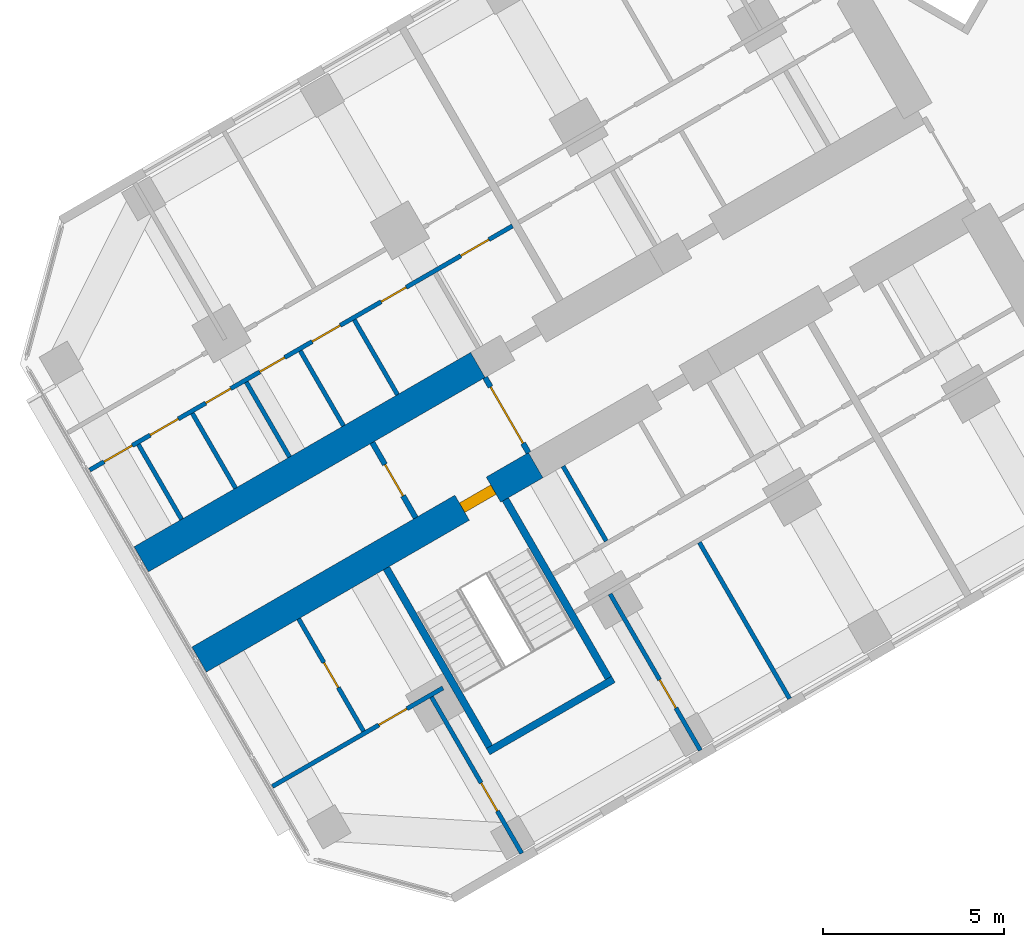
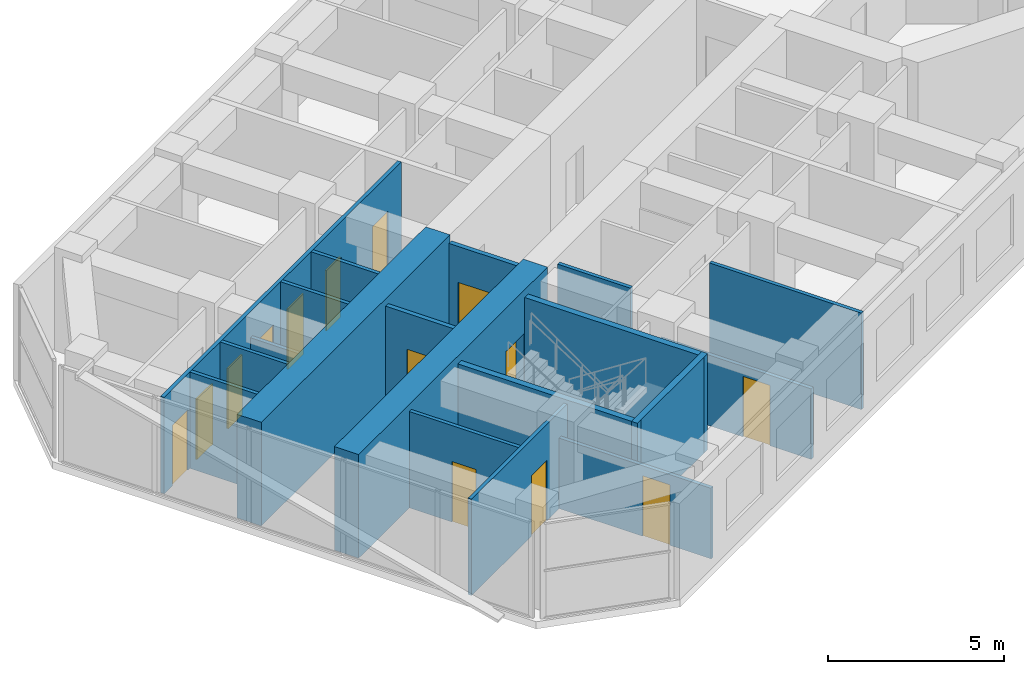
# One storey, part 10 of 20: 19 walls, 14 doors, 14 openings.
"""IFC4 building model written with IfcOpenShell, lengths in metres."""

from ifc_helpers import new_model, si_unit, direction, frame, frame_2d, origin, place, context, subcontext, project, spatial, rectangle, extrude, material, layer, layer_set, type_object, element, fill, save


model = new_model("IFC4")

# Units and contexts
model_context = context("Model", 3, precision=1e-05, world=origin(), true_north=direction((0.0, 1.0)))
body_context = subcontext(model_context, "Body", "Model", "MODEL_VIEW")
ifc_project = project(units=[si_unit("LENGTHUNIT", "METRE"), si_unit("AREAUNIT", "SQUARE_METRE"), si_unit("VOLUMEUNIT", "CUBIC_METRE"), si_unit("PLANEANGLEUNIT", "RADIAN"), si_unit("MASSUNIT", "GRAM", prefix="KILO")], contexts=[model_context])

# Site, building, storey
site_placement = place(None, origin())
site = spatial("IfcSite", under=ifc_project, at=site_placement, CompositionType="ELEMENT")
building_placement = place(site_placement, origin())
building = spatial("IfcBuilding", under=site, at=building_placement, Name="Kosmar Iwan School Tower", CompositionType="ELEMENT")
storey_placement = place(building_placement, frame((0.0, 0.0, 179.60009765625)))
storey = spatial("IfcBuildingStorey", under=building, at=storey_placement, Name="L45", CompositionType="ELEMENT", Elevation=179.60009765625)

# Wall, opening, door
ifc_material_1 = material(Name="Concrete C50/60", Category="concrete")
ifc_layer_1 = layer(ifc_material_1, 0.800048828125)
ifc_layer_set_1 = layer_set([ifc_layer_1], Name="Corridor buttress wall 800")
wall_type_1 = type_object("IfcWallType", Name="Corridor buttress wall 800", PredefinedType="SHEAR", material=ifc_layer_set_1)
wall_1_placement = place(storey_placement, frame((-19.681396484375, -13.210693359375, 0.0), z_axis=(0.0, 0.0, 1.0), x_axis=(-0.866028186671, -0.499995179869, 0.0)))
wall_1 = element("IfcWall", 1, at=wall_1_placement, inside=storey, type_object=wall_type_1, Name="Corridor wall BL bay 3", PredefinedType="SHEAR", context=body_context, shape_type="SweptSolid", body=[
    extrude(rectangle(XDim=10.7451171875, YDim=0.800048828125, at=frame_2d((5.37255859375, 0.0))), origin(), (0.0, 0.0, 1.0), 3.599853515625),
])
opening_1_placement = place(wall_1_placement, frame((1.35009765625, 0.0, 0.0)))
opening_1 = element("IfcOpeningElement", 2, at=opening_1_placement, cuts=wall_1, Name="Opening D6", PredefinedType="OPENING", context=body_context, shape_type="SweptSolid", body=[
    extrude(rectangle(XDim=1.0, YDim=2.10009765625, at=frame_2d((0.5, 1.050048828125))), frame((0.0, 0.412109375, 0.0), z_axis=(0.0, -1.0, 0.0), x_axis=(1.0, 0.0, 0.0)), (0.0, 0.0, 1.0), 0.823974609375),
])
ifc_material_2 = material(Name="Steel fire door", Category="steel")
door_type_1 = type_object("IfcDoorType", Name="Stair door 1000x2100", OperationType="SINGLE_SWING_LEFT", PredefinedType="DOOR", material=ifc_material_2)
door_1_placement = place(opening_1_placement, origin())
door_1 = element("IfcDoor", 3, at=door_1_placement, inside=storey, type_object=door_type_1, Name="Stair WS2 door L45", OperationType="SINGLE_SWING_LEFT", OverallHeight=2.10009765625, OverallWidth=1.0, PredefinedType="DOOR", context=body_context, shape_type="SweptSolid", body=[
    extrude(rectangle(XDim=1.0, YDim=2.10009765625, at=frame_2d((0.5, 1.050048828125))), frame((0.0, 0.14990234375, 0.0), z_axis=(0.0, -1.0, 0.0), x_axis=(1.0, 0.0, 0.0)), (0.0, 0.0, 1.0), 0.300048828125),
])
fill(opening_1, door_1)

# Wall
wall_2_placement = place(storey_placement, frame((-21.281494140625, -10.439453125, 0.0), z_axis=(0.0, 0.0, 1.0), x_axis=(-0.866032345022, -0.499987977232, 0.0)))
element("IfcWall", 4, at=wall_2_placement, inside=storey, type_object=wall_type_1, Name="Corridor wall BR bay 3", PredefinedType="SHEAR", context=body_context, shape_type="SweptSolid", body=[
    extrude(rectangle(XDim=10.744873046875, YDim=0.800048828125, at=frame_2d((5.37255859375, 0.0))), origin(), (0.0, 0.0, 1.0), 3.599853515625),
])

# Wall, opening, door
ifc_material_3 = material(Name="Gypsum board on steel studs, fire-rated", Category="steel")
ifc_layer_2 = layer(ifc_material_3, 0.14990234375)
ifc_layer_set_2 = layer_set([ifc_layer_2], Name="Corridor end wall 150")
wall_type_2 = type_object("IfcWallType", Name="Corridor end wall 150", PredefinedType="PARTITIONING", material=ifc_layer_set_2)
wall_3_placement = place(storey_placement, frame((-24.19921875, -12.585693359375, 0.0), z_axis=(0.0, 0.0, 1.0), x_axis=(0.499957262057, -0.866050077142, 0.0)))
wall_3 = element("IfcWall", 5, at=wall_3_placement, inside=storey, type_object=wall_type_2, Name="Partition L45-B-CE", PredefinedType="PARTITIONING", context=body_context, shape_type="SweptSolid", body=[
    extrude(rectangle(XDim=2.400146484375, YDim=0.14990234375, at=frame_2d((1.2001953125, 0.0))), origin(), (0.0, 0.0, 1.0), 3.349853515625),
])
opening_2_placement = place(wall_3_placement, frame((0.699951171875, 0.0, 0.0)))
opening_2 = element("IfcOpeningElement", 6, at=opening_2_placement, cuts=wall_3, Name="Opening D13", PredefinedType="OPENING", context=body_context, shape_type="SweptSolid", body=[
    extrude(rectangle(XDim=1.0, YDim=2.10009765625, at=frame_2d((0.5, 1.050048828125))), frame((0.0, 0.0869140625, 0.0), z_axis=(0.0, -1.0, 0.0), x_axis=(1.0, 0.0, 0.0)), (0.0, 0.0, 1.0), 0.173828125),
])
ifc_material_4 = material(Name="Timber fire door with vision panel", Category="wood")
door_type_2 = type_object("IfcDoorType", Name="Corridor end door 1000x2100", OperationType="SINGLE_SWING_LEFT", PredefinedType="DOOR", material=ifc_material_4)
door_2_placement = place(opening_2_placement, origin())
door_2 = element("IfcDoor", 7, at=door_2_placement, inside=storey, type_object=door_type_2, Name="Laundry and drying room door L45-B", OperationType="SINGLE_SWING_RIGHT", OverallHeight=2.10009765625, OverallWidth=1.0, PredefinedType="DOOR", context=body_context, shape_type="SweptSolid", body=[
    extrude(rectangle(XDim=1.0, YDim=2.10009765625, at=frame_2d((0.5, 1.050048828125))), frame((0.0, 0.02490234375, 0.0), z_axis=(0.0, -1.0, 0.0), x_axis=(1.0, 0.0, 0.0)), (0.0, 0.0, 1.0), 0.050048828125),
])
fill(opening_2, door_2)

wall_4_placement = place(storey_placement, frame((-21.08154296875, -10.78564453125, 0.0), z_axis=(0.0, 0.0, 1.0), x_axis=(0.499957262057, -0.866050077142, 0.0)))
wall_4 = element("IfcWall", 8, at=wall_4_placement, inside=storey, type_object=wall_type_2, Name="Partition L45-B-HW", PredefinedType="PARTITIONING", context=body_context, shape_type="SweptSolid", body=[
    extrude(rectangle(XDim=2.400146484375, YDim=0.14990234375, at=frame_2d((1.2001953125, 0.0))), origin(), (0.0, 0.0, 1.0), 3.349853515625),
])
opening_3_placement = place(wall_4_placement, frame((0.300048828125, 0.0, 0.0)))
opening_3 = element("IfcOpeningElement", 9, at=opening_3_placement, cuts=wall_4, Name="Opening D9", PredefinedType="OPENING", context=body_context, shape_type="SweptSolid", body=[
    extrude(rectangle(XDim=1.800048828125, YDim=2.10009765625, at=frame_2d((0.89990234375, 1.050048828125))), frame((0.0, 0.0869140625, 0.0), z_axis=(0.0, -1.0, 0.0), x_axis=(1.0, 0.0, 0.0)), (0.0, 0.0, 1.0), 0.173828125),
])
ifc_material_5 = material(Name="Steel framed glazed smoke door", Category="steel")
door_type_3 = type_object("IfcDoorType", Name="Corridor smoke door pair 1800x2100", OperationType="DOUBLE_DOOR_DOUBLE_SWING", PredefinedType="DOOR", material=ifc_material_5)
door_3_placement = place(opening_3_placement, origin())
door_3 = element("IfcDoor", 10, at=door_3_placement, inside=storey, type_object=door_type_3, Name="Hashti vestibule smoke doors L45-B", OperationType="DOUBLE_DOOR_DOUBLE_SWING", OverallHeight=2.10009765625, OverallWidth=1.800048828125, PredefinedType="DOOR", context=body_context, shape_type="SweptSolid", body=[
    extrude(rectangle(XDim=1.800048828125, YDim=2.10009765625, at=frame_2d((0.89990234375, 1.050048828125))), frame((0.0, 0.02490234375, 0.0), z_axis=(0.0, -1.0, 0.0), x_axis=(1.0, 0.0, 0.0)), (0.0, 0.0, 1.0), 0.050048828125),
])
fill(opening_3, door_3)

# Walls
ifc_material_6 = material(Name="Gypsum board on steel studs", Category="steel")
ifc_layer_3 = layer(ifc_material_6, 0.1201171875)
ifc_layer_set_3 = layer_set([ifc_layer_3], Name="Dwelling partition 120")
wall_type_3 = type_object("IfcWallType", Name="Dwelling partition 120", PredefinedType="PARTITIONING", material=ifc_layer_set_3)
wall_5_placement = place(storey_placement, frame((-15.158447265625, -15.344970703125, 0.0), z_axis=(0.0, 0.0, 1.0), x_axis=(0.500011847778, -0.866018563358, 0.0)))
element("IfcWall", 11, at=wall_5_placement, inside=storey, type_object=wall_type_3, Name="Partition L45-BL2-X1", PredefinedType="PARTITIONING", context=body_context, shape_type="SweptSolid", body=[
    extrude(rectangle(XDim=4.990234375, YDim=0.1201171875, at=frame_2d((2.4951171875, 0.0))), origin(), (0.0, 0.0, 1.0), 3.349853515625),
])
wall_6_placement = place(storey_placement, frame((-18.92724609375, -13.237060546875, 0.0), z_axis=(0.0, 0.0, 1.0), x_axis=(0.500017192868, -0.86601547725, 0.0)))
element("IfcWall", 12, at=wall_6_placement, inside=storey, type_object=wall_type_3, Name="Partition L45-BL2-Y4", PredefinedType="PARTITIONING", context=body_context, shape_type="SweptSolid", body=[
    extrude(rectangle(XDim=2.39013671875, YDim=0.1201171875, at=frame_2d((1.195068359375, 0.0))), origin(), (0.0, 0.0, 1.0), 3.349853515625),
])

# Wall, opening, door
wall_7_placement = place(storey_placement, frame((-17.62646484375, -16.77001953125, 0.0), z_axis=(0.0, 0.0, 1.0), x_axis=(0.499975153383, -0.86603974851, 0.0)))
wall_7 = element("IfcWall", 13, at=wall_7_placement, inside=storey, type_object=wall_type_3, Name="Partition L45-BL2-TB", PredefinedType="PARTITIONING", context=body_context, shape_type="SweptSolid", body=[
    extrude(rectangle(XDim=4.989990234375, YDim=0.1201171875, at=frame_2d((2.4951171875, 0.0))), origin(), (0.0, 0.0, 1.0), 2.449951171875),
])
opening_4_placement = place(wall_7_placement, frame((2.739990234375, 0.0, 0.0)))
opening_4 = element("IfcOpeningElement", 14, at=opening_4_placement, cuts=wall_7, Name="Opening D2", PredefinedType="OPENING", context=body_context, shape_type="SweptSolid", body=[
    extrude(rectangle(XDim=0.89990234375, YDim=2.10009765625, at=frame_2d((0.449951171875, 1.050048828125))), frame((0.0, 0.072021484375, 0.0), z_axis=(0.0, -1.0, 0.0), x_axis=(1.0, 0.0, 0.0)), (0.0, 0.0, 1.0), 0.14404296875),
])
ifc_material_7 = material(Name="Timber door in timber frame", Category="wood")
door_type_4 = type_object("IfcDoorType", Name="Internal door 900x2100", OperationType="SINGLE_SWING_LEFT", PredefinedType="DOOR", material=ifc_material_7)
door_4_placement = place(opening_4_placement, origin())
door_4 = element("IfcDoor", 15, at=door_4_placement, inside=storey, type_object=door_type_4, Name="Study door L45-BL2-F2", OperationType="SINGLE_SWING_RIGHT", OverallHeight=2.10009765625, OverallWidth=0.89990234375, PredefinedType="DOOR", context=body_context, shape_type="SweptSolid", body=[
    extrude(rectangle(XDim=0.89990234375, YDim=2.10009765625, at=frame_2d((0.449951171875, 1.050048828125))), frame((0.0, 0.02490234375, 0.0), z_axis=(0.0, -1.0, 0.0), x_axis=(1.0, 0.0, 0.0)), (0.0, 0.0, 1.0), 0.050048828125),
])
fill(opening_4, door_4)

wall_8_placement = place(storey_placement, frame((-22.562744140625, -19.6201171875, 0.0), z_axis=(0.0, 0.0, 1.0), x_axis=(0.499996339024, -0.86602751744, 0.0)))
wall_8 = element("IfcWall", 16, at=wall_8_placement, inside=storey, type_object=wall_type_3, Name="Partition L45-BL2-TX", PredefinedType="PARTITIONING", context=body_context, shape_type="SweptSolid", body=[
    extrude(rectangle(XDim=4.98974609375, YDim=0.1201171875, at=frame_2d((2.494873046875, 0.0))), origin(), (0.0, 0.0, 1.0), 2.449951171875),
])
opening_5_placement = place(wall_8_placement, frame((2.739990234375, 0.0, 0.0)))
opening_5 = element("IfcOpeningElement", 17, at=opening_5_placement, cuts=wall_8, Name="Opening D2", PredefinedType="OPENING", context=body_context, shape_type="SweptSolid", body=[
    extrude(rectangle(XDim=0.89990234375, YDim=2.10009765625, at=frame_2d((0.449951171875, 1.050048828125))), frame((0.0, 0.072021484375, 0.0), z_axis=(0.0, -1.0, 0.0), x_axis=(1.0, 0.0, 0.0)), (0.0, 0.0, 1.0), 0.14404296875),
])
door_5_placement = place(opening_5_placement, origin())
door_5 = element("IfcDoor", 18, at=door_5_placement, inside=storey, type_object=door_type_4, Name="Study door L45-BL2-T1", OperationType="SINGLE_SWING_RIGHT", OverallHeight=2.10009765625, OverallWidth=0.89990234375, PredefinedType="DOOR", context=body_context, shape_type="SweptSolid", body=[
    extrude(rectangle(XDim=0.89990234375, YDim=2.10009765625, at=frame_2d((0.449951171875, 1.050048828125))), frame((0.0, 0.02490234375, 0.0), z_axis=(0.0, -1.0, 0.0), x_axis=(1.0, 0.0, 0.0)), (0.0, 0.0, 1.0), 0.050048828125),
])
fill(opening_5, door_5)

wall_9_placement = place(storey_placement, frame((-22.246337890625, -19.3681640625, 0.0), z_axis=(0.0, 0.0, 1.0), x_axis=(-0.866035508231, -0.499982498177, 0.0)))
wall_9 = element("IfcWall", 19, at=wall_9_placement, inside=storey, type_object=wall_type_3, Name="Partition L45-BL2-TW", PredefinedType="PARTITIONING", context=body_context, shape_type="SweptSolid", body=[
    extrude(rectangle(XDim=5.445068359375, YDim=0.1201171875, at=frame_2d((2.72265625, 0.0))), origin(), (0.0, 0.0, 1.0), 3.349853515625),
])
opening_6_placement = place(wall_9_placement, frame((1.14990234375, 0.0, 0.0)))
opening_6 = element("IfcOpeningElement", 20, at=opening_6_placement, cuts=wall_9, Name="Opening D2", PredefinedType="OPENING", context=body_context, shape_type="SweptSolid", body=[
    extrude(rectangle(XDim=0.89990234375, YDim=2.10009765625, at=frame_2d((0.449951171875, 1.050048828125))), frame((0.0, 0.072021484375, 0.0), z_axis=(0.0, -1.0, 0.0), x_axis=(1.0, 0.0, 0.0)), (0.0, 0.0, 1.0), 0.14404296875),
])
door_6_placement = place(opening_6_placement, origin())
door_6 = element("IfcDoor", 21, at=door_6_placement, inside=storey, type_object=door_type_4, Name="Dressing room door L45-BL2-T3", OperationType="SINGLE_SWING_LEFT", OverallHeight=2.10009765625, OverallWidth=0.89990234375, PredefinedType="DOOR", context=body_context, shape_type="SweptSolid", body=[
    extrude(rectangle(XDim=0.89990234375, YDim=2.10009765625, at=frame_2d((0.449951171875, 1.050048828125))), frame((0.0, 0.02490234375, 0.0), z_axis=(0.0, -1.0, 0.0), x_axis=(1.0, 0.0, 0.0)), (0.0, 0.0, 1.0), 0.050048828125),
])
fill(opening_6, door_6)

wall_10_placement = place(storey_placement, frame((-26.236572265625, -17.45703125, 0.0), z_axis=(0.0, 0.0, 1.0), x_axis=(0.50002266109, -0.866012320003, 0.0)))
wall_10 = element("IfcWall", 22, at=wall_10_placement, inside=storey, type_object=wall_type_3, Name="Partition L45-BL2-TY", PredefinedType="PARTITIONING", context=body_context, shape_type="SweptSolid", body=[
    extrude(rectangle(XDim=3.590087890625, YDim=0.1201171875, at=frame_2d((1.794921875, 0.0))), origin(), (0.0, 0.0, 1.0), 3.349853515625),
])
opening_7_placement = place(wall_10_placement, frame((1.39501953125, 0.0, 0.0)))
opening_7 = element("IfcOpeningElement", 23, at=opening_7_placement, cuts=wall_10, Name="Opening D3", PredefinedType="OPENING", context=body_context, shape_type="SweptSolid", body=[
    extrude(rectangle(XDim=0.800048828125, YDim=2.10009765625, at=frame_2d((0.39990234375, 1.050048828125))), frame((0.0, 0.072021484375, 0.0), z_axis=(0.0, -1.0, 0.0), x_axis=(1.0, 0.0, 0.0)), (0.0, 0.0, 1.0), 0.14404296875),
])
ifc_material_8 = material(Name="Timber door in timber frame", Category="wood")
door_type_5 = type_object("IfcDoorType", Name="Sanitary room door 800x2100", OperationType="SINGLE_SWING_LEFT", PredefinedType="DOOR", material=ifc_material_8)
door_7_placement = place(opening_7_placement, origin())
door_7 = element("IfcDoor", 24, at=door_7_placement, inside=storey, type_object=door_type_5, Name="Shower room door L45-BL2-T4", OperationType="SINGLE_SWING_LEFT", OverallHeight=2.10009765625, OverallWidth=0.800048828125, PredefinedType="DOOR", context=body_context, shape_type="SweptSolid", body=[
    extrude(rectangle(XDim=0.800048828125, YDim=2.10009765625, at=frame_2d((0.39990234375, 1.050048828125))), frame((0.0, 0.02490234375, 0.0), z_axis=(0.0, -1.0, 0.0), x_axis=(1.0, 0.0, 0.0)), (0.0, 0.0, 1.0), 0.050048828125),
])
fill(opening_7, door_7)

# Wall, openings, doors
wall_11_placement = place(storey_placement, frame((-20.324951171875, -6.59619140625, 0.0), z_axis=(0.0, 0.0, 1.0), x_axis=(-0.866023503214, -0.50000329187, 0.0)))
wall_11 = element("IfcWall", 25, at=wall_11_placement, inside=storey, type_object=wall_type_3, Name="Partition L45-BR2-W1", PredefinedType="PARTITIONING", context=body_context, shape_type="SweptSolid", body=[
    extrude(rectangle(XDim=13.4951171875, YDim=0.1201171875, at=frame_2d((6.74755859375, 0.0))), origin(), (0.0, 0.0, 1.0), 3.349853515625),
])
opening_8_placement = place(wall_11_placement, frame((0.75, 0.0, 0.0)))
opening_8 = element("IfcOpeningElement", 26, at=opening_8_placement, cuts=wall_11, Name="Opening D2", PredefinedType="OPENING", context=body_context, shape_type="SweptSolid", body=[
    extrude(rectangle(XDim=0.89990234375, YDim=2.10009765625, at=frame_2d((0.449951171875, 1.050048828125))), frame((0.0, 0.072021484375, 0.0), z_axis=(0.0, -1.0, 0.0), x_axis=(1.0, 0.0, 0.0)), (0.0, 0.0, 1.0), 0.14404296875),
])
opening_9_placement = place(wall_11_placement, frame((3.392333984375, 0.0, 0.0)))
opening_9 = element("IfcOpeningElement", 27, at=opening_9_placement, cuts=wall_11, Name="Opening D3", PredefinedType="OPENING", context=body_context, shape_type="SweptSolid", body=[
    extrude(rectangle(XDim=0.800048828125, YDim=2.10009765625, at=frame_2d((0.39990234375, 1.050048828125))), frame((0.0, 0.072021484375, 0.0), z_axis=(0.0, -1.0, 0.0), x_axis=(1.0, 0.0, 0.0)), (0.0, 0.0, 1.0), 0.14404296875),
])
opening_10_placement = place(wall_11_placement, frame((5.49609375, 0.0, 0.0)))
opening_10 = element("IfcOpeningElement", 28, at=opening_10_placement, cuts=wall_11, Name="Opening D2", PredefinedType="OPENING", context=body_context, shape_type="SweptSolid", body=[
    extrude(rectangle(XDim=0.89990234375, YDim=2.10009765625, at=frame_2d((0.449951171875, 1.050048828125))), frame((0.0, 0.072021484375, 0.0), z_axis=(0.0, -1.0, 0.0), x_axis=(1.0, 0.0, 0.0)), (0.0, 0.0, 1.0), 0.14404296875),
])
opening_11_placement = place(wall_11_placement, frame((7.269287109375, 0.0, 0.0)))
opening_11 = element("IfcOpeningElement", 29, at=opening_11_placement, cuts=wall_11, Name="Opening D3", PredefinedType="OPENING", context=body_context, shape_type="SweptSolid", body=[
    extrude(rectangle(XDim=0.800048828125, YDim=2.10009765625, at=frame_2d((0.39990234375, 1.050048828125))), frame((0.0, 0.072021484375, 0.0), z_axis=(0.0, -1.0, 0.0), x_axis=(1.0, 0.0, 0.0)), (0.0, 0.0, 1.0), 0.14404296875),
])
opening_12_placement = place(wall_11_placement, frame((8.992431640625, 0.0, 0.0)))
opening_12 = element("IfcOpeningElement", 30, at=opening_12_placement, cuts=wall_11, Name="Opening D3", PredefinedType="OPENING", context=body_context, shape_type="SweptSolid", body=[
    extrude(rectangle(XDim=0.800048828125, YDim=2.10009765625, at=frame_2d((0.39990234375, 1.050048828125))), frame((0.0, 0.072021484375, 0.0), z_axis=(0.0, -1.0, 0.0), x_axis=(1.0, 0.0, 0.0)), (0.0, 0.0, 1.0), 0.14404296875),
])
opening_13_placement = place(wall_11_placement, frame((10.665283203125, 0.0, 0.0)))
opening_13 = element("IfcOpeningElement", 31, at=opening_13_placement, cuts=wall_11, Name="Opening D2", PredefinedType="OPENING", context=body_context, shape_type="SweptSolid", body=[
    extrude(rectangle(XDim=0.89990234375, YDim=2.10009765625, at=frame_2d((0.449951171875, 1.050048828125))), frame((0.0, 0.072021484375, 0.0), z_axis=(0.0, -1.0, 0.0), x_axis=(1.0, 0.0, 0.0)), (0.0, 0.0, 1.0), 0.14404296875),
])
opening_14_placement = place(wall_11_placement, frame((12.136962890625, 0.0, 0.0)))
opening_14 = element("IfcOpeningElement", 32, at=opening_14_placement, cuts=wall_11, Name="Opening D2", PredefinedType="OPENING", context=body_context, shape_type="SweptSolid", body=[
    extrude(rectangle(XDim=0.89990234375, YDim=2.10009765625, at=frame_2d((0.449951171875, 1.050048828125))), frame((0.0, 0.072021484375, 0.0), z_axis=(0.0, -1.0, 0.0), x_axis=(1.0, 0.0, 0.0)), (0.0, 0.0, 1.0), 0.14404296875),
])
door_8_placement = place(opening_8_placement, origin())
door_8 = element("IfcDoor", 33, at=door_8_placement, inside=storey, type_object=door_type_4, Name="Entrance hall door L45-BR2-S1", OperationType="SINGLE_SWING_RIGHT", OverallHeight=2.10009765625, OverallWidth=0.89990234375, PredefinedType="DOOR", context=body_context, shape_type="SweptSolid", body=[
    extrude(rectangle(XDim=0.89990234375, YDim=2.10009765625, at=frame_2d((0.449951171875, 1.050048828125))), frame((0.0, 0.02490234375, 0.0), z_axis=(0.0, -1.0, 0.0), x_axis=(1.0, 0.0, 0.0)), (0.0, 0.0, 1.0), 0.050048828125),
])
fill(opening_8, door_8)
door_9_placement = place(opening_10_placement, origin())
door_9 = element("IfcDoor", 34, at=door_9_placement, inside=storey, type_object=door_type_4, Name="Pantry door L45-BR2-S3", OperationType="SINGLE_SWING_RIGHT", OverallHeight=2.10009765625, OverallWidth=0.89990234375, PredefinedType="DOOR", context=body_context, shape_type="SweptSolid", body=[
    extrude(rectangle(XDim=0.89990234375, YDim=2.10009765625, at=frame_2d((0.449951171875, 1.050048828125))), frame((0.0, 0.02490234375, 0.0), z_axis=(0.0, -1.0, 0.0), x_axis=(1.0, 0.0, 0.0)), (0.0, 0.0, 1.0), 0.050048828125),
])
fill(opening_10, door_9)
door_10_placement = place(opening_13_placement, origin())
door_10 = element("IfcDoor", 35, at=door_10_placement, inside=storey, type_object=door_type_4, Name="Utility room door L45-BR2-S6", OperationType="SINGLE_SWING_LEFT", OverallHeight=2.10009765625, OverallWidth=0.89990234375, PredefinedType="DOOR", context=body_context, shape_type="SweptSolid", body=[
    extrude(rectangle(XDim=0.89990234375, YDim=2.10009765625, at=frame_2d((0.449951171875, 1.050048828125))), frame((0.0, 0.02490234375, 0.0), z_axis=(0.0, -1.0, 0.0), x_axis=(1.0, 0.0, 0.0)), (0.0, 0.0, 1.0), 0.050048828125),
])
fill(opening_13, door_10)
door_11_placement = place(opening_14_placement, origin())
door_11 = element("IfcDoor", 36, at=door_11_placement, inside=storey, type_object=door_type_4, Name="Dressing room door L45-BR2-S7", OperationType="SINGLE_SWING_LEFT", OverallHeight=2.10009765625, OverallWidth=0.89990234375, PredefinedType="DOOR", context=body_context, shape_type="SweptSolid", body=[
    extrude(rectangle(XDim=0.89990234375, YDim=2.10009765625, at=frame_2d((0.449951171875, 1.050048828125))), frame((0.0, 0.02490234375, 0.0), z_axis=(0.0, -1.0, 0.0), x_axis=(1.0, 0.0, 0.0)), (0.0, 0.0, 1.0), 0.050048828125),
])
fill(opening_14, door_11)
door_12_placement = place(opening_9_placement, origin())
door_12 = element("IfcDoor", 37, at=door_12_placement, inside=storey, type_object=door_type_5, Name="Bathroom door L45-BR2-S2", OperationType="SINGLE_SWING_LEFT", OverallHeight=2.10009765625, OverallWidth=0.800048828125, PredefinedType="DOOR", context=body_context, shape_type="SweptSolid", body=[
    extrude(rectangle(XDim=0.800048828125, YDim=2.10009765625, at=frame_2d((0.39990234375, 1.050048828125))), frame((0.0, 0.02490234375, 0.0), z_axis=(0.0, -1.0, 0.0), x_axis=(1.0, 0.0, 0.0)), (0.0, 0.0, 1.0), 0.050048828125),
])
fill(opening_9, door_12)
door_13_placement = place(opening_11_placement, origin())
door_13 = element("IfcDoor", 38, at=door_13_placement, inside=storey, type_object=door_type_5, Name="WC door L45-BR2-S4", OperationType="SINGLE_SWING_LEFT", OverallHeight=2.10009765625, OverallWidth=0.800048828125, PredefinedType="DOOR", context=body_context, shape_type="SweptSolid", body=[
    extrude(rectangle(XDim=0.800048828125, YDim=2.10009765625, at=frame_2d((0.39990234375, 1.050048828125))), frame((0.0, 0.02490234375, 0.0), z_axis=(0.0, -1.0, 0.0), x_axis=(1.0, 0.0, 0.0)), (0.0, 0.0, 1.0), 0.050048828125),
])
fill(opening_11, door_13)
door_14_placement = place(opening_12_placement, origin())
door_14 = element("IfcDoor", 39, at=door_14_placement, inside=storey, type_object=door_type_5, Name="Store door L45-BR2-S5", OperationType="SINGLE_SWING_RIGHT", OverallHeight=2.10009765625, OverallWidth=0.800048828125, PredefinedType="DOOR", context=body_context, shape_type="SweptSolid", body=[
    extrude(rectangle(XDim=0.800048828125, YDim=2.10009765625, at=frame_2d((0.39990234375, 1.050048828125))), frame((0.0, 0.02490234375, 0.0), z_axis=(0.0, -1.0, 0.0), x_axis=(1.0, 0.0, 0.0)), (0.0, 0.0, 1.0), 0.050048828125),
])
fill(opening_12, door_14)

# Walls
wall_12_placement = place(storey_placement, frame((-23.50341796875, -11.26025390625, 0.0), z_axis=(0.0, 0.0, 1.0), x_axis=(-0.499940577336, 0.866059708757, 0.0)))
element("IfcWall", 40, at=wall_12_placement, inside=storey, type_object=wall_type_3, Name="Partition L45-BR2-Y2", PredefinedType="PARTITIONING", context=body_context, shape_type="SweptSolid", body=[
    extrude(rectangle(XDim=2.389892578125, YDim=0.1201171875, at=frame_2d((1.19482421875, 0.0))), origin(), (0.0, 0.0, 1.0), 3.349853515625),
])
wall_13_placement = place(storey_placement, frame((-24.99560546875, -12.121826171875, 0.0), z_axis=(0.0, 0.0, 1.0), x_axis=(-0.500017192868, 0.86601547725, 0.0)))
element("IfcWall", 41, at=wall_13_placement, inside=storey, type_object=wall_type_3, Name="Partition L45-BR2-Y3", PredefinedType="PARTITIONING", context=body_context, shape_type="SweptSolid", body=[
    extrude(rectangle(XDim=2.39013671875, YDim=0.1201171875, at=frame_2d((1.195068359375, 0.0))), origin(), (0.0, 0.0, 1.0), 3.349853515625),
])
wall_14_placement = place(storey_placement, frame((-26.48779296875, -12.9833984375, 0.0), z_axis=(0.0, 0.0, 1.0), x_axis=(-0.500017192868, 0.86601547725, 0.0)))
element("IfcWall", 42, at=wall_14_placement, inside=storey, type_object=wall_type_3, Name="Partition L45-BR2-Y4", PredefinedType="PARTITIONING", context=body_context, shape_type="SweptSolid", body=[
    extrude(rectangle(XDim=2.39013671875, YDim=0.1201171875, at=frame_2d((1.195068359375, 0.0))), origin(), (0.0, 0.0, 1.0), 2.449951171875),
])
wall_15_placement = place(storey_placement, frame((-27.97998046875, -13.844970703125, 0.0), z_axis=(0.0, 0.0, 1.0), x_axis=(-0.500017192868, 0.86601547725, 0.0)))
element("IfcWall", 43, at=wall_15_placement, inside=storey, type_object=wall_type_3, Name="Partition L45-BR2-Y5", PredefinedType="PARTITIONING", context=body_context, shape_type="SweptSolid", body=[
    extrude(rectangle(XDim=2.39013671875, YDim=0.1201171875, at=frame_2d((1.195068359375, 0.0))), origin(), (0.0, 0.0, 1.0), 3.349853515625),
])
wall_16_placement = place(storey_placement, frame((-29.47216796875, -14.706298828125, 0.0), z_axis=(0.0, 0.0, 1.0), x_axis=(-0.500061428766, 0.865989934965, 0.0)))
element("IfcWall", 44, at=wall_16_placement, inside=storey, type_object=wall_type_3, Name="Partition L45-BR2-Y6", PredefinedType="PARTITIONING", context=body_context, shape_type="SweptSolid", body=[
    extrude(rectangle(XDim=2.389892578125, YDim=0.1201171875, at=frame_2d((1.19482421875, 0.0))), origin(), (0.0, 0.0, 1.0), 3.349853515625),
])
ifc_material_9 = material(Name="Concrete C35/45", Category="concrete")
ifc_layer_4 = layer(ifc_material_9, 0.199951171875)
ifc_layer_set_4 = layer_set([ifc_layer_4], Name="Escape stair wall 200")
wall_type_4 = type_object("IfcWallType", Name="Escape stair wall 200", PredefinedType="SHEAR", material=ifc_layer_set_4)
wall_17_placement = place(storey_placement, frame((-20.520751953125, -14.156982421875, 0.0), z_axis=(0.0, 0.0, 1.0), x_axis=(0.499988710057, -0.866031921938, 0.0)))
element("IfcWall", 45, at=wall_17_placement, inside=storey, type_object=wall_type_4, Name="Stair WS2 wall", PredefinedType="SHEAR", context=body_context, shape_type="SweptSolid", body=[
    extrude(rectangle(XDim=5.900146484375, YDim=0.199951171875, at=frame_2d((2.9501953125, 0.0))), origin(), (0.0, 0.0, 1.0), 3.329833984375),
])
wall_18_placement = place(storey_placement, frame((-23.8115234375, -16.05712890625, 0.0), z_axis=(0.0, 0.0, 1.0), x_axis=(0.500006628179, -0.86602157697, 0.0)))
element("IfcWall", 46, at=wall_18_placement, inside=storey, type_object=wall_type_4, Name="Stair WS2 wall", PredefinedType="SHEAR", context=body_context, shape_type="SweptSolid", body=[
    extrude(rectangle(XDim=5.89990234375, YDim=0.199951171875, at=frame_2d((2.949951171875, 0.0))), origin(), (0.0, 0.0, 1.0), 3.329833984375),
])
wall_19_placement = place(storey_placement, frame((-17.5341796875, -19.1298828125, 0.0), z_axis=(0.0, 0.0, 1.0), x_axis=(-0.866026010844, -0.49999894854, 0.0)))
element("IfcWall", 47, at=wall_19_placement, inside=storey, type_object=wall_type_4, Name="Stair WS2 wall", PredefinedType="SHEAR", context=body_context, shape_type="SweptSolid", body=[
    extrude(rectangle(XDim=4.0, YDim=0.199951171875, at=frame_2d((2.0, 0.0))), origin(), (0.0, 0.0, 1.0), 3.329833984375),
])

save(model, "model.ifc")
